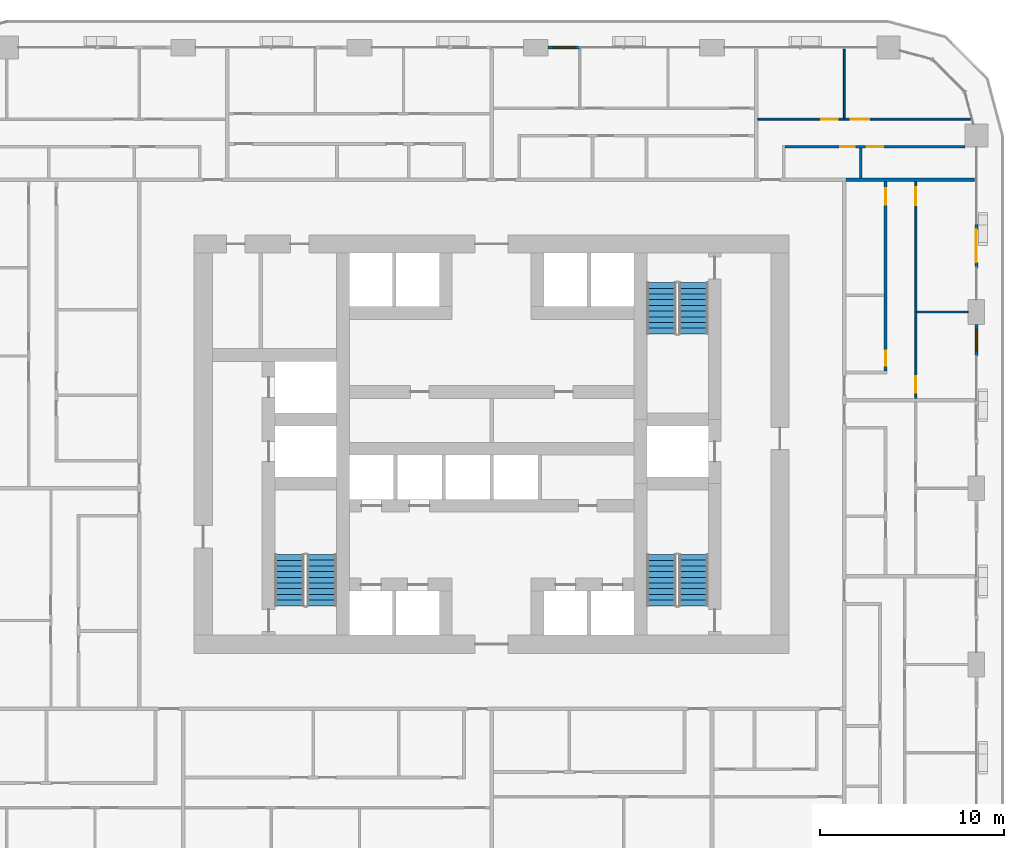
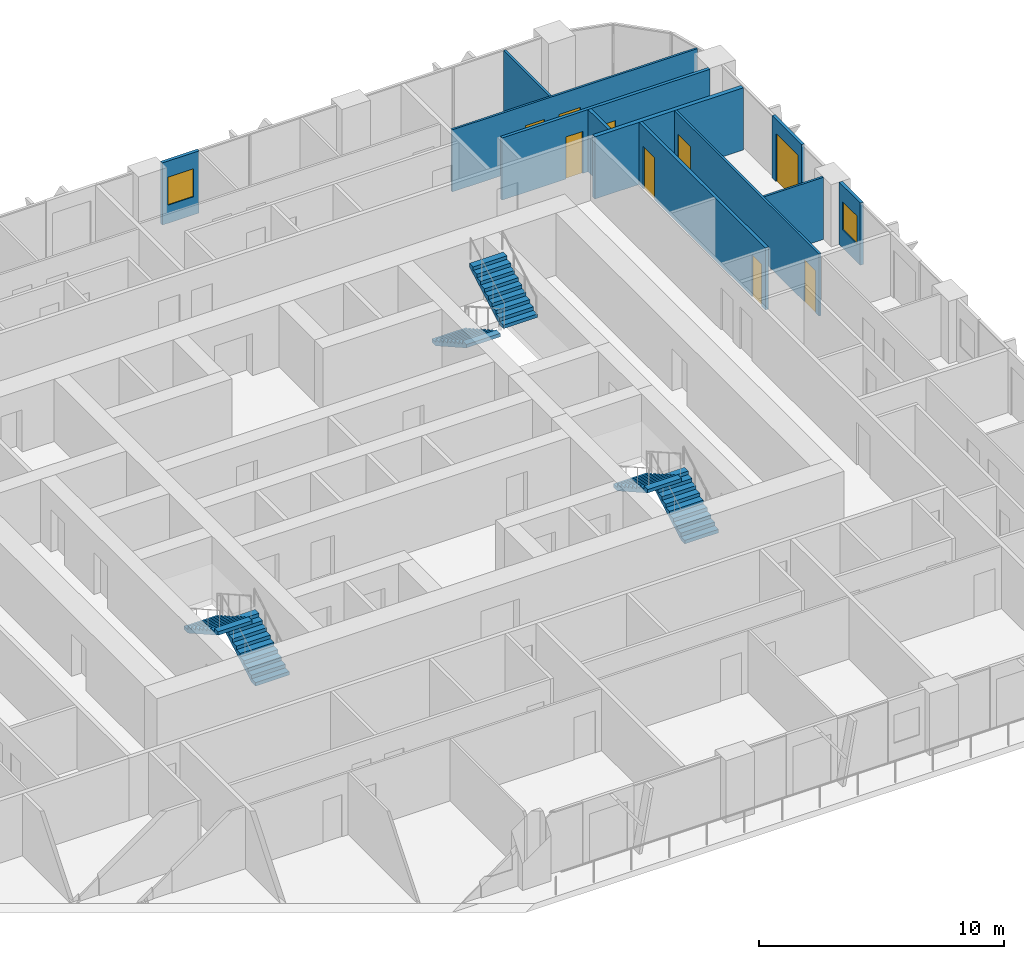
# One storey, part 15 of 21: 11 walls, 9 doors, 6 stair flights, 2 windows, 11 openings, 3 elements without a shape of their own.
"""IFC4 building model written with IfcOpenShell, lengths in metres."""

from ifc_helpers import new_model, si_unit, direction, frame, frame_2d, origin, place, context, subcontext, project, spatial, polyline, rectangle, outline, extrude, material, layer, layer_set, type_object, element, fill, aggregate, save


model = new_model("IFC4")

# Units and contexts
model_context = context("Model", 3, precision=1e-05, world=origin(), true_north=direction((0.0, 1.0)))
body_context = subcontext(model_context, "Body", "Model", "MODEL_VIEW")
ifc_project = project(units=[si_unit("LENGTHUNIT", "METRE"), si_unit("AREAUNIT", "SQUARE_METRE"), si_unit("VOLUMEUNIT", "CUBIC_METRE"), si_unit("PLANEANGLEUNIT", "RADIAN"), si_unit("MASSUNIT", "GRAM", prefix="KILO")], contexts=[model_context])

# Site, building, storey
site_placement = place(None, origin())
site = spatial("IfcSite", under=ifc_project, at=site_placement, CompositionType="ELEMENT")
building_placement = place(site_placement, origin())
building = spatial("IfcBuilding", under=site, at=building_placement, Name="Madar Terraces", CompositionType="ELEMENT")
storey_placement = place(building_placement, frame((0.0, 0.0, 50.39990234375)))
storey = spatial("IfcBuildingStorey", under=building, at=storey_placement, Name="L12", CompositionType="ELEMENT", Elevation=50.39990234375)

# Wall, opening, window
ifc_material_1 = material(Name="Aluminium composite panel, black, over insulated backing", Category="aluminium")
ifc_layer_1 = layer(ifc_material_1, 0.14990234375)
ifc_layer_set_1 = layer_set([ifc_layer_1], Name="Facade bay panel 150")
wall_type_1 = type_object("IfcWallType", Name="Facade bay panel 150", PredefinedType="SOLIDWALL", material=ifc_layer_set_1)
wall_1_placement = place(storey_placement, frame((57.60009765625, 31.199951171875, 0.0), z_axis=(0.0, 0.0, 1.0), x_axis=(0.0, 1.0, 0.0)))
wall_1 = element("IfcWall", 1, at=wall_1_placement, inside=storey, type_object=wall_type_1, Name="Facade bay panel", PredefinedType="SOLIDWALL", context=body_context, shape_type="SweptSolid", body=[
    extrude(rectangle(XDim=1.72509765625, YDim=0.14990234375, at=frame_2d((0.862548828125, 0.0))), origin(), (0.0, 0.0, 1.0), 3.10009765625),
])
opening_1_placement = place(wall_1_placement, frame((0.262451171875, 0.0, 0.89990234375)))
opening_1 = element("IfcOpeningElement", 2, at=opening_1_placement, cuts=wall_1, Name="Opening W1", PredefinedType="OPENING", context=body_context, shape_type="SweptSolid", body=[
    extrude(rectangle(XDim=1.199951171875, YDim=1.39990234375, at=frame_2d((0.60009765625, 0.699951171875))), frame((0.0, 0.0849609375, 0.0), z_axis=(0.0, -1.0, 0.0), x_axis=(1.0, 0.0, 0.0)), (0.0, 0.0, 1.0), 0.169921875),
])
ifc_material_2 = material(Name="Glass, clear, with black aluminium frame", Category="aluminium")
window_type = type_object("IfcWindowType", Name="Vent window 1200 x 1400", PartitioningType="SINGLE_PANEL", PredefinedType="WINDOW", material=ifc_material_2)
window_1_placement = place(opening_1_placement, origin())
window_1 = element("IfcWindow", 3, at=window_1_placement, inside=storey, type_object=window_type, Name="Operable vent window", OverallHeight=1.39990234375, OverallWidth=1.199951171875, PartitioningType="SINGLE_PANEL", PredefinedType="WINDOW", context=body_context, shape_type="SweptSolid", body=[
    extrude(rectangle(XDim=1.199951171875, YDim=1.39990234375, at=frame_2d((0.60009765625, 0.699951171875))), frame((0.0, 0.030029296875, 0.0), z_axis=(0.0, -1.0, 0.0), x_axis=(1.0, 0.0, 0.0)), (0.0, 0.0, 1.0), 0.06005859375),
])
fill(opening_1, window_1)

# Wall, opening, door
wall_2_placement = place(storey_placement, frame((57.60009765625, 36.0, 0.0), z_axis=(0.0, 0.0, 1.0), x_axis=(0.0, 1.0, 0.0)))
wall_2 = element("IfcWall", 4, at=wall_2_placement, inside=storey, type_object=wall_type_1, Name="Facade bay panel", PredefinedType="SOLIDWALL", context=body_context, shape_type="SweptSolid", body=[
    extrude(rectangle(XDim=2.39990234375, YDim=0.14990234375, at=frame_2d((1.199951171875, 0.0))), origin(), (0.0, 0.0, 1.0), 3.10009765625),
])
opening_2_placement = place(wall_2_placement, frame((0.300048828125, 0.0, 0.0)))
opening_2 = element("IfcOpeningElement", 5, at=opening_2_placement, cuts=wall_2, Name="Opening ED1", PredefinedType="OPENING", context=body_context, shape_type="SweptSolid", body=[
    extrude(rectangle(XDim=1.800048828125, YDim=2.39990234375, at=frame_2d((0.89990234375, 1.199951171875))), frame((0.0, 0.0849609375, 0.0), z_axis=(0.0, -1.0, 0.0), x_axis=(1.0, 0.0, 0.0)), (0.0, 0.0, 1.0), 0.169921875),
])
ifc_material_3 = material(Name="Glass, clear, with black aluminium frame", Category="aluminium")
door_type_1 = type_object("IfcDoorType", Name="Balcony and terrace sliding door 1800 x 2400", OperationType="SLIDING_TO_LEFT", PredefinedType="DOOR", material=ifc_material_3)
door_1_placement = place(opening_2_placement, origin())
door_1 = element("IfcDoor", 6, at=door_1_placement, inside=storey, type_object=door_type_1, Name="Balcony door", OperationType="SLIDING_TO_RIGHT", OverallHeight=2.39990234375, OverallWidth=1.800048828125, PredefinedType="DOOR", context=body_context, shape_type="SweptSolid", body=[
    extrude(rectangle(XDim=1.800048828125, YDim=2.39990234375, at=frame_2d((0.89990234375, 1.199951171875))), frame((0.0, 0.02490234375, 0.0), z_axis=(0.0, -1.0, 0.0), x_axis=(1.0, 0.0, 0.0)), (0.0, 0.0, 1.0), 0.050048828125),
])
fill(opening_2, door_1)

# Wall, opening, window
wall_3_placement = place(storey_placement, frame((36.0, 48.0, 0.0), z_axis=(0.0, 0.0, 1.0), x_axis=(-1.0, 0.0, 0.0)))
wall_3 = element("IfcWall", 7, at=wall_3_placement, inside=storey, type_object=wall_type_1, Name="Facade bay panel", PredefinedType="SOLIDWALL", context=body_context, shape_type="SweptSolid", body=[
    extrude(rectangle(XDim=1.72509765625, YDim=0.14990234375, at=frame_2d((0.862548828125, 0.0))), origin(), (0.0, 0.0, 1.0), 3.10009765625),
])
opening_3_placement = place(wall_3_placement, frame((0.262451171875, 0.0, 0.89990234375)))
opening_3 = element("IfcOpeningElement", 8, at=opening_3_placement, cuts=wall_3, Name="Opening W1", PredefinedType="OPENING", context=body_context, shape_type="SweptSolid", body=[
    extrude(rectangle(XDim=1.199951171875, YDim=1.39990234375, at=frame_2d((0.60009765625, 0.699951171875))), frame((0.0, 0.0849609375, 0.0), z_axis=(0.0, -1.0, 0.0), x_axis=(1.0, 0.0, 0.0)), (0.0, 0.0, 1.0), 0.169921875),
])
window_2_placement = place(opening_3_placement, origin())
window_2 = element("IfcWindow", 9, at=window_2_placement, inside=storey, type_object=window_type, Name="Operable vent window", OverallHeight=1.39990234375, OverallWidth=1.199951171875, PartitioningType="SINGLE_PANEL", PredefinedType="WINDOW", context=body_context, shape_type="SweptSolid", body=[
    extrude(rectangle(XDim=1.199951171875, YDim=1.39990234375, at=frame_2d((0.60009765625, 0.699951171875))), frame((0.0, 0.030029296875, 0.0), z_axis=(0.0, -1.0, 0.0), x_axis=(1.0, 0.0, 0.0)), (0.0, 0.0, 1.0), 0.06005859375),
])
fill(opening_3, window_2)

# Wall
ifc_material_4 = material(Name="Gypsum board on steel studs", Category="steel")
ifc_layer_2 = layer(ifc_material_4, 0.10009765625)
ifc_layer_set_2 = layer_set([ifc_layer_2], Name="Flat partition 100")
wall_type_2 = type_object("IfcWallType", Name="Flat partition 100", PredefinedType="PARTITIONING", material=ifc_layer_set_2)
wall_4_placement = place(storey_placement, frame((54.35009765625, 33.60009765625, 0.0), z_axis=(0.0, 0.0, 1.0), x_axis=(1.0, 0.0, 0.0)))
element("IfcWall", 10, at=wall_4_placement, inside=storey, type_object=wall_type_2, Name="Flat partition 100", PredefinedType="PARTITIONING", context=body_context, shape_type="SweptSolid", body=[
    extrude(rectangle(XDim=2.7998046875, YDim=0.10009765625, at=frame_2d((1.39990234375, 0.0))), origin(), (0.0, 0.0, 1.0), 3.10009765625),
])

# Wall, openings, doors
wall_5_placement = place(storey_placement, frame((54.300048828125, 40.699951171875, 0.0), z_axis=(0.0, 0.0, 1.0), x_axis=(0.0, -1.0, 0.0)))
wall_5 = element("IfcWall", 11, at=wall_5_placement, inside=storey, type_object=wall_type_2, Name="Flat partition 100", PredefinedType="PARTITIONING", context=body_context, shape_type="SweptSolid", body=[
    extrude(rectangle(XDim=11.800048828125, YDim=0.10009765625, at=frame_2d((5.89990234375, 0.0))), origin(), (0.0, 0.0, 1.0), 3.10009765625),
])
opening_4_placement = place(wall_5_placement, frame((10.60009765625, 0.0, 0.0)))
opening_4 = element("IfcOpeningElement", 12, at=opening_4_placement, cuts=wall_5, Name="Opening D2", PredefinedType="OPENING", context=body_context, shape_type="SweptSolid", body=[
    extrude(rectangle(XDim=0.89990234375, YDim=2.10009765625, at=frame_2d((0.449951171875, 1.050048828125))), frame((0.0, 0.06005859375, 0.0), z_axis=(0.0, -1.0, 0.0), x_axis=(1.0, 0.0, 0.0)), (0.0, 0.0, 1.0), 0.1201171875),
])
opening_5_placement = place(wall_5_placement, frame((0.300048828125, 0.0, 0.0)))
opening_5 = element("IfcOpeningElement", 13, at=opening_5_placement, cuts=wall_5, Name="Opening D3", PredefinedType="OPENING", context=body_context, shape_type="SweptSolid", body=[
    extrude(rectangle(XDim=1.0, YDim=2.10009765625, at=frame_2d((0.5, 1.050048828125))), frame((0.0, 0.06005859375, 0.0), z_axis=(0.0, -1.0, 0.0), x_axis=(1.0, 0.0, 0.0)), (0.0, 0.0, 1.0), 0.1201171875),
])
ifc_material_5 = material(Name="Timber door leaf", Category="wood")
door_type_2 = type_object("IfcDoorType", Name="Flat living room door 1000", OperationType="NOTDEFINED", PredefinedType="DOOR", material=ifc_material_5)
door_2_placement = place(opening_5_placement, origin())
door_2 = element("IfcDoor", 14, at=door_2_placement, inside=storey, type_object=door_type_2, Name="Flat living room door 1000", OperationType="SINGLE_SWING_LEFT", OverallHeight=2.10009765625, OverallWidth=1.0, PredefinedType="DOOR", context=body_context, shape_type="SweptSolid", body=[
    extrude(rectangle(XDim=1.0, YDim=2.10009765625, at=frame_2d((0.5, 1.050048828125))), frame((0.0, 0.02490234375, 0.0), z_axis=(0.0, -1.0, 0.0), x_axis=(1.0, 0.0, 0.0)), (0.0, 0.0, 1.0), 0.050048828125),
])
fill(opening_5, door_2)
ifc_material_6 = material(Name="Timber door leaf", Category="wood")
door_type_3 = type_object("IfcDoorType", Name="Flat room door 900", OperationType="NOTDEFINED", PredefinedType="DOOR", material=ifc_material_6)
door_3_placement = place(opening_4_placement, origin())
door_3 = element("IfcDoor", 15, at=door_3_placement, inside=storey, type_object=door_type_3, Name="Flat room door 900", OperationType="SINGLE_SWING_RIGHT", OverallHeight=2.10009765625, OverallWidth=0.89990234375, PredefinedType="DOOR", context=body_context, shape_type="SweptSolid", body=[
    extrude(rectangle(XDim=0.89990234375, YDim=2.10009765625, at=frame_2d((0.449951171875, 1.050048828125))), frame((0.0, 0.02490234375, 0.0), z_axis=(0.0, -1.0, 0.0), x_axis=(1.0, 0.0, 0.0)), (0.0, 0.0, 1.0), 0.050048828125),
])
fill(opening_4, door_3)

# Wall
wall_6_placement = place(storey_placement, frame((50.39990234375, 44.14990234375, 0.0), z_axis=(0.0, 0.0, 1.0), x_axis=(0.0, 1.0, 0.0)))
element("IfcWall", 16, at=wall_6_placement, inside=storey, type_object=wall_type_2, Name="Flat partition 100", PredefinedType="PARTITIONING", context=body_context, shape_type="SweptSolid", body=[
    extrude(rectangle(XDim=3.75, YDim=0.10009765625, at=frame_2d((1.875, 0.0))), origin(), (0.0, 0.0, 1.0), 3.10009765625),
])

# Wall, openings, doors
wall_7_placement = place(storey_placement, frame((45.699951171875, 44.10009765625, 0.0), z_axis=(0.0, 0.0, 1.0), x_axis=(1.0, 0.0, 0.0)))
wall_7 = element("IfcWall", 17, at=wall_7_placement, inside=storey, type_object=wall_type_2, Name="Flat partition 100", PredefinedType="PARTITIONING", context=body_context, shape_type="SweptSolid", body=[
    extrude(rectangle(XDim=11.558837890625, YDim=0.10009765625, at=frame_2d((5.779296875, 0.0))), origin(), (0.0, 0.0, 1.0), 3.10009765625),
])
opening_6_placement = place(wall_7_placement, frame((3.449951171875, 0.0, 0.0)))
opening_6 = element("IfcOpeningElement", 18, at=opening_6_placement, cuts=wall_7, Name="Opening D2", PredefinedType="OPENING", context=body_context, shape_type="SweptSolid", body=[
    extrude(rectangle(XDim=0.89990234375, YDim=2.10009765625, at=frame_2d((0.449951171875, 1.050048828125))), frame((0.0, 0.06005859375, 0.0), z_axis=(0.0, -1.0, 0.0), x_axis=(1.0, 0.0, 0.0)), (0.0, 0.0, 1.0), 0.1201171875),
])
opening_7_placement = place(wall_7_placement, frame((5.050048828125, 0.0, 0.0)))
opening_7 = element("IfcOpeningElement", 19, at=opening_7_placement, cuts=wall_7, Name="Opening D3", PredefinedType="OPENING", context=body_context, shape_type="SweptSolid", body=[
    extrude(rectangle(XDim=1.0, YDim=2.10009765625, at=frame_2d((0.5, 1.050048828125))), frame((0.0, 0.06005859375, 0.0), z_axis=(0.0, -1.0, 0.0), x_axis=(1.0, 0.0, 0.0)), (0.0, 0.0, 1.0), 0.1201171875),
])
door_4_placement = place(opening_7_placement, origin())
door_4 = element("IfcDoor", 20, at=door_4_placement, inside=storey, type_object=door_type_2, Name="Flat living room door 1000", OperationType="SINGLE_SWING_LEFT", OverallHeight=2.10009765625, OverallWidth=1.0, PredefinedType="DOOR", context=body_context, shape_type="SweptSolid", body=[
    extrude(rectangle(XDim=1.0, YDim=2.10009765625, at=frame_2d((0.5, 1.050048828125))), frame((0.0, 0.02490234375, 0.0), z_axis=(0.0, -1.0, 0.0), x_axis=(1.0, 0.0, 0.0)), (0.0, 0.0, 1.0), 0.050048828125),
])
fill(opening_7, door_4)
door_5_placement = place(opening_6_placement, origin())
door_5 = element("IfcDoor", 21, at=door_5_placement, inside=storey, type_object=door_type_3, Name="Flat room door 900", OperationType="SINGLE_SWING_RIGHT", OverallHeight=2.10009765625, OverallWidth=0.89990234375, PredefinedType="DOOR", context=body_context, shape_type="SweptSolid", body=[
    extrude(rectangle(XDim=0.89990234375, YDim=2.10009765625, at=frame_2d((0.449951171875, 1.050048828125))), frame((0.0, 0.02490234375, 0.0), z_axis=(0.0, -1.0, 0.0), x_axis=(1.0, 0.0, 0.0)), (0.0, 0.0, 1.0), 0.050048828125),
])
fill(opening_6, door_5)

# Wall
ifc_material_7 = material(Name="Lightweight blockwork", Category="masonry")
ifc_layer_3 = layer(ifc_material_7, 0.199951171875)
ifc_layer_set_3 = layer_set([ifc_layer_3], Name="Flat party and entrance wall 200")
wall_type_3 = type_object("IfcWallType", Name="Flat party and entrance wall 200", PredefinedType="PARTITIONING", material=ifc_layer_set_3)
wall_8_placement = place(storey_placement, frame((50.5, 40.800048828125, 0.0), z_axis=(0.0, 0.0, 1.0), x_axis=(1.0, 0.0, 0.0)))
element("IfcWall", 22, at=wall_8_placement, inside=storey, type_object=wall_type_3, Name="Flat party and entrance wall 200", PredefinedType="PARTITIONING", context=body_context, shape_type="SweptSolid", body=[
    extrude(rectangle(XDim=7.0, YDim=0.199951171875, at=frame_2d((3.5, 0.0))), origin(), (0.0, 0.0, 1.0), 3.10009765625),
])

# Wall, openings, doors
ifc_material_8 = material(Name="Lightweight blockwork", Category="masonry")
ifc_layer_4 = layer(ifc_material_8, 0.14990234375)
ifc_layer_set_4 = layer_set([ifc_layer_4], Name="Flat wet-room partition 150")
wall_type_4 = type_object("IfcWallType", Name="Flat wet-room partition 150", PredefinedType="PARTITIONING", material=ifc_layer_set_4)
wall_9_placement = place(storey_placement, frame((52.64990234375, 30.375, 0.0), z_axis=(0.0, 0.0, 1.0), x_axis=(0.0, 1.0, 0.0)))
wall_9 = element("IfcWall", 23, at=wall_9_placement, inside=storey, type_object=wall_type_4, Name="Flat wet-room partition 150", PredefinedType="PARTITIONING", context=body_context, shape_type="SweptSolid", body=[
    extrude(rectangle(XDim=10.324951171875, YDim=0.14990234375, at=frame_2d((5.16259765625, 0.0))), origin(), (0.0, 0.0, 1.0), 3.10009765625),
])
opening_8_placement = place(wall_9_placement, frame((0.300048828125, 0.0, 0.0)))
opening_8 = element("IfcOpeningElement", 24, at=opening_8_placement, cuts=wall_9, Name="Opening D4", PredefinedType="OPENING", context=body_context, shape_type="SweptSolid", body=[
    extrude(rectangle(XDim=0.800048828125, YDim=2.10009765625, at=frame_2d((0.39990234375, 1.050048828125))), frame((0.0, 0.0849609375, 0.0), z_axis=(0.0, -1.0, 0.0), x_axis=(1.0, 0.0, 0.0)), (0.0, 0.0, 1.0), 0.169921875),
])
opening_9_placement = place(wall_9_placement, frame((9.074951171875, 0.0, 0.0)))
opening_9 = element("IfcOpeningElement", 25, at=opening_9_placement, cuts=wall_9, Name="Opening D2", PredefinedType="OPENING", context=body_context, shape_type="SweptSolid", body=[
    extrude(rectangle(XDim=0.89990234375, YDim=2.10009765625, at=frame_2d((0.449951171875, 1.050048828125))), frame((0.0, 0.0849609375, 0.0), z_axis=(0.0, -1.0, 0.0), x_axis=(1.0, 0.0, 0.0)), (0.0, 0.0, 1.0), 0.169921875),
])
ifc_material_9 = material(Name="Timber door leaf", Category="wood")
door_type_4 = type_object("IfcDoorType", Name="Flat bathroom door 800", OperationType="NOTDEFINED", PredefinedType="DOOR", material=ifc_material_9)
door_6_placement = place(opening_8_placement, origin())
door_6 = element("IfcDoor", 26, at=door_6_placement, inside=storey, type_object=door_type_4, Name="Flat bathroom door 800", OperationType="SINGLE_SWING_LEFT", OverallHeight=2.10009765625, OverallWidth=0.800048828125, PredefinedType="DOOR", context=body_context, shape_type="SweptSolid", body=[
    extrude(rectangle(XDim=0.800048828125, YDim=2.10009765625, at=frame_2d((0.39990234375, 1.050048828125))), frame((0.0, 0.02490234375, 0.0), z_axis=(0.0, -1.0, 0.0), x_axis=(1.0, 0.0, 0.0)), (0.0, 0.0, 1.0), 0.050048828125),
])
fill(opening_8, door_6)
door_7_placement = place(opening_9_placement, origin())
door_7 = element("IfcDoor", 27, at=door_7_placement, inside=storey, type_object=door_type_3, Name="Flat room door 900", OperationType="SINGLE_SWING_RIGHT", OverallHeight=2.10009765625, OverallWidth=0.89990234375, PredefinedType="DOOR", context=body_context, shape_type="SweptSolid", body=[
    extrude(rectangle(XDim=0.89990234375, YDim=2.10009765625, at=frame_2d((0.449951171875, 1.050048828125))), frame((0.0, 0.02490234375, 0.0), z_axis=(0.0, -1.0, 0.0), x_axis=(1.0, 0.0, 0.0)), (0.0, 0.0, 1.0), 0.050048828125),
])
fill(opening_9, door_7)

# Wall
wall_10_placement = place(storey_placement, frame((51.304931640625, 40.89990234375, 0.0), z_axis=(0.0, 0.0, 1.0), x_axis=(0.0, 1.0, 0.0)))
element("IfcWall", 28, at=wall_10_placement, inside=storey, type_object=wall_type_4, Name="Flat wet-room partition 150", PredefinedType="PARTITIONING", context=body_context, shape_type="SweptSolid", body=[
    extrude(rectangle(XDim=1.625, YDim=0.14990234375, at=frame_2d((0.8125, 0.0))), origin(), (0.0, 0.0, 1.0), 3.10009765625),
])

# Wall, openings, doors
wall_11_placement = place(storey_placement, frame((56.97509765625, 42.60009765625, 0.0), z_axis=(0.0, 0.0, 1.0), x_axis=(-1.0, 0.0, 0.0)))
wall_11 = element("IfcWall", 29, at=wall_11_placement, inside=storey, type_object=wall_type_4, Name="Flat wet-room partition 150", PredefinedType="PARTITIONING", context=body_context, shape_type="SweptSolid", body=[
    extrude(rectangle(XDim=9.800048828125, YDim=0.14990234375, at=frame_2d((4.89990234375, 0.0))), origin(), (0.0, 0.0, 1.0), 3.10009765625),
])
opening_10_placement = place(wall_11_placement, frame((5.9951171875, 0.0, 0.0)))
opening_10 = element("IfcOpeningElement", 30, at=opening_10_placement, cuts=wall_11, Name="Opening D4", PredefinedType="OPENING", context=body_context, shape_type="SweptSolid", body=[
    extrude(rectangle(XDim=0.800048828125, YDim=2.10009765625, at=frame_2d((0.39990234375, 1.050048828125))), frame((0.0, 0.0849609375, 0.0), z_axis=(0.0, -1.0, 0.0), x_axis=(1.0, 0.0, 0.0)), (0.0, 0.0, 1.0), 0.169921875),
])
opening_11_placement = place(wall_11_placement, frame((4.445068359375, 0.0, 0.0)))
opening_11 = element("IfcOpeningElement", 31, at=opening_11_placement, cuts=wall_11, Name="Opening D2", PredefinedType="OPENING", context=body_context, shape_type="SweptSolid", body=[
    extrude(rectangle(XDim=0.89990234375, YDim=2.10009765625, at=frame_2d((0.449951171875, 1.050048828125))), frame((0.0, 0.0849609375, 0.0), z_axis=(0.0, -1.0, 0.0), x_axis=(1.0, 0.0, 0.0)), (0.0, 0.0, 1.0), 0.169921875),
])
door_8_placement = place(opening_10_placement, origin())
door_8 = element("IfcDoor", 32, at=door_8_placement, inside=storey, type_object=door_type_4, Name="Flat bathroom door 800", OperationType="SINGLE_SWING_LEFT", OverallHeight=2.10009765625, OverallWidth=0.800048828125, PredefinedType="DOOR", context=body_context, shape_type="SweptSolid", body=[
    extrude(rectangle(XDim=0.800048828125, YDim=2.10009765625, at=frame_2d((0.39990234375, 1.050048828125))), frame((0.0, 0.02490234375, 0.0), z_axis=(0.0, -1.0, 0.0), x_axis=(1.0, 0.0, 0.0)), (0.0, 0.0, 1.0), 0.050048828125),
])
fill(opening_10, door_8)
door_9_placement = place(opening_11_placement, origin())
door_9 = element("IfcDoor", 33, at=door_9_placement, inside=storey, type_object=door_type_3, Name="Flat room door 900", OperationType="SINGLE_SWING_RIGHT", OverallHeight=2.10009765625, OverallWidth=0.89990234375, PredefinedType="DOOR", context=body_context, shape_type="SweptSolid", body=[
    extrude(rectangle(XDim=0.89990234375, YDim=2.10009765625, at=frame_2d((0.449951171875, 1.050048828125))), frame((0.0, 0.02490234375, 0.0), z_axis=(0.0, -1.0, 0.0), x_axis=(1.0, 0.0, 0.0)), (0.0, 0.0, 1.0), 0.050048828125),
])
fill(opening_11, door_9)

# Stair, stair flights
ifc_material_10 = material(Name="Concrete C50/60", Category="concrete")
stair_type_1 = type_object("IfcStairType", Name="Stair ST1 protected exit", PredefinedType="HALF_TURN_STAIR", material=ifc_material_10)
stair_1_placement = place(storey_placement, origin())
stair_1 = element("IfcStair", 34, at=stair_1_placement, inside=storey, type_object=stair_type_1, Name="L12 Protected Exit Stair ST1", PredefinedType="HALF_TURN_STAIR")
ifc_material_11 = material(Name="Concrete C50/60", Category="concrete")
stair_flight_type_1 = type_object("IfcStairFlightType", Name="Stair flight ST1-F4, 1600 wide, 10 risers", PredefinedType="STRAIGHT", material=ifc_material_11)
stair_flight_1_placement = place(storey_placement, frame((21.949951171875, 17.60009765625, 0.0), z_axis=(0.0, 0.0, 1.0), x_axis=(0.0, 1.0, 0.0)))
stair_flight_1 = element("IfcStairFlight", 35, at=stair_flight_1_placement, type_object=stair_flight_type_1, Name="ST1 flight 1", NumberOfRisers=10, NumberOfTreads=9, PredefinedType="STRAIGHT", RiserHeight=0.175, TreadLength=0.31, context=body_context, shape_type="SweptSolid", body=[
    extrude(outline(polyline([(0.0, 0.0), (0.0, 0.175048828125), (0.31005859375, 0.175048828125), (0.31005859375, 0.35009765625), (0.6201171875, 0.35009765625), (0.6201171875, 0.52490234375), (0.929931640625, 0.52490234375), (0.929931640625, 0.699951171875), (1.239990234375, 0.699951171875), (1.239990234375, 0.875), (1.550048828125, 0.875), (1.550048828125, 1.050048828125), (1.860107421875, 1.050048828125), (1.860107421875, 1.22509765625), (2.169921875, 1.22509765625), (2.169921875, 1.39990234375), (2.47998046875, 1.39990234375), (2.47998046875, 1.574951171875), (2.7900390625, 1.574951171875), (2.7900390625, 1.75), (2.7900390625, 1.40283203125), (0.304931640625, 0.0), (0.0, 0.0)])), frame((0.0, 0.800048828125, 0.0), z_axis=(0.0, -1.0, 0.0), x_axis=(1.0, 0.0, 0.0)), (0.0, 0.0, 1.0), 1.60009765625),
])
stair_flight_2_placement = place(storey_placement, frame((20.199951171875, 20.389892578125, 1.75), z_axis=(0.0, 0.0, 1.0), x_axis=(0.0, -1.0, 0.0)))
stair_flight_2 = element("IfcStairFlight", 36, at=stair_flight_2_placement, type_object=stair_flight_type_1, Name="ST1 flight 2", NumberOfRisers=10, NumberOfTreads=9, PredefinedType="STRAIGHT", RiserHeight=0.175, TreadLength=0.31, context=body_context, shape_type="SweptSolid", body=[
    extrude(outline(polyline([(0.0, 0.0), (0.0, 0.175048828125), (0.31005859375, 0.175048828125), (0.31005859375, 0.35009765625), (0.6201171875, 0.35009765625), (0.6201171875, 0.52490234375), (0.929931640625, 0.52490234375), (0.929931640625, 0.699951171875), (1.239990234375, 0.699951171875), (1.239990234375, 0.875), (1.550048828125, 0.875), (1.550048828125, 1.050048828125), (1.860107421875, 1.050048828125), (1.860107421875, 1.22509765625), (2.169921875, 1.22509765625), (2.169921875, 1.39990234375), (2.47998046875, 1.39990234375), (2.47998046875, 1.574951171875), (2.7900390625, 1.574951171875), (2.7900390625, 1.75), (2.7900390625, 1.40283203125), (0.304931640625, 0.0), (0.0, 0.0)])), frame((0.0, 0.800048828125, 0.0), z_axis=(0.0, -1.0, 0.0), x_axis=(1.0, 0.0, 0.0)), (0.0, 0.0, 1.0), 1.60009765625),
])
aggregate(stair_1, [stair_flight_1, stair_flight_2])

ifc_material_12 = material(Name="Concrete C50/60", Category="concrete")
stair_type_2 = type_object("IfcStairType", Name="Stair ST2 protected exit", PredefinedType="HALF_TURN_STAIR", material=ifc_material_12)
stair_2_placement = place(storey_placement, origin())
stair_2 = element("IfcStair", 37, at=stair_2_placement, inside=storey, type_object=stair_type_2, Name="L12 Protected Exit Stair ST2", PredefinedType="HALF_TURN_STAIR")
ifc_material_13 = material(Name="Concrete C50/60", Category="concrete")
stair_flight_type_2 = type_object("IfcStairFlightType", Name="Stair flight ST2-F4, 1600 wide, 10 risers", PredefinedType="STRAIGHT", material=ifc_material_13)
stair_flight_3_placement = place(storey_placement, frame((40.449951171875, 35.199951171875, 0.0), z_axis=(0.0, 0.0, 1.0), x_axis=(0.0, -1.0, 0.0)))
stair_flight_3 = element("IfcStairFlight", 38, at=stair_flight_3_placement, type_object=stair_flight_type_2, Name="ST2 flight 1", NumberOfRisers=10, NumberOfTreads=9, PredefinedType="STRAIGHT", RiserHeight=0.175, TreadLength=0.31, context=body_context, shape_type="SweptSolid", body=[
    extrude(outline(polyline([(0.0, 0.0), (0.0, 0.175048828125), (0.31005859375, 0.175048828125), (0.31005859375, 0.35009765625), (0.6201171875, 0.35009765625), (0.6201171875, 0.52490234375), (0.929931640625, 0.52490234375), (0.929931640625, 0.699951171875), (1.239990234375, 0.699951171875), (1.239990234375, 0.875), (1.550048828125, 0.875), (1.550048828125, 1.050048828125), (1.860107421875, 1.050048828125), (1.860107421875, 1.22509765625), (2.169921875, 1.22509765625), (2.169921875, 1.39990234375), (2.47998046875, 1.39990234375), (2.47998046875, 1.574951171875), (2.7900390625, 1.574951171875), (2.7900390625, 1.75), (2.7900390625, 1.40283203125), (0.304931640625, 0.0), (0.0, 0.0)])), frame((0.0, 0.800048828125, 0.0), z_axis=(0.0, -1.0, 0.0), x_axis=(1.0, 0.0, 0.0)), (0.0, 0.0, 1.0), 1.60009765625),
])
stair_flight_4_placement = place(storey_placement, frame((42.199951171875, 32.409912109375, 1.75), z_axis=(0.0, 0.0, 1.0), x_axis=(0.0, 1.0, 0.0)))
stair_flight_4 = element("IfcStairFlight", 39, at=stair_flight_4_placement, type_object=stair_flight_type_2, Name="ST2 flight 2", NumberOfRisers=10, NumberOfTreads=9, PredefinedType="STRAIGHT", RiserHeight=0.175, TreadLength=0.31, context=body_context, shape_type="SweptSolid", body=[
    extrude(outline(polyline([(0.0, 0.0), (0.0, 0.175048828125), (0.31005859375, 0.175048828125), (0.31005859375, 0.35009765625), (0.6201171875, 0.35009765625), (0.6201171875, 0.52490234375), (0.929931640625, 0.52490234375), (0.929931640625, 0.699951171875), (1.239990234375, 0.699951171875), (1.239990234375, 0.875), (1.550048828125, 0.875), (1.550048828125, 1.050048828125), (1.860107421875, 1.050048828125), (1.860107421875, 1.22509765625), (2.169921875, 1.22509765625), (2.169921875, 1.39990234375), (2.47998046875, 1.39990234375), (2.47998046875, 1.574951171875), (2.7900390625, 1.574951171875), (2.7900390625, 1.75), (2.7900390625, 1.40283203125), (0.304931640625, 0.0), (0.0, 0.0)])), frame((0.0, 0.800048828125, 0.0), z_axis=(0.0, -1.0, 0.0), x_axis=(1.0, 0.0, 0.0)), (0.0, 0.0, 1.0), 1.60009765625),
])
aggregate(stair_2, [stair_flight_3, stair_flight_4])

ifc_material_14 = material(Name="Concrete C50/60", Category="concrete")
stair_type_3 = type_object("IfcStairType", Name="Stair ST3 protected exit", PredefinedType="HALF_TURN_STAIR", material=ifc_material_14)
stair_3_placement = place(storey_placement, origin())
stair_3 = element("IfcStair", 40, at=stair_3_placement, inside=storey, type_object=stair_type_3, Name="L12 Protected Exit Stair ST3", PredefinedType="HALF_TURN_STAIR")
ifc_material_15 = material(Name="Concrete C50/60", Category="concrete")
stair_flight_type_3 = type_object("IfcStairFlightType", Name="Stair flight ST3-F4, 1600 wide, 10 risers", PredefinedType="STRAIGHT", material=ifc_material_15)
stair_flight_5_placement = place(storey_placement, frame((42.199951171875, 17.60009765625, 0.0), z_axis=(0.0, 0.0, 1.0), x_axis=(0.0, 1.0, 0.0)))
stair_flight_5 = element("IfcStairFlight", 41, at=stair_flight_5_placement, type_object=stair_flight_type_3, Name="ST3 flight 1", NumberOfRisers=10, NumberOfTreads=9, PredefinedType="STRAIGHT", RiserHeight=0.175, TreadLength=0.31, context=body_context, shape_type="SweptSolid", body=[
    extrude(outline(polyline([(0.0, 0.0), (0.0, 0.175048828125), (0.31005859375, 0.175048828125), (0.31005859375, 0.35009765625), (0.6201171875, 0.35009765625), (0.6201171875, 0.52490234375), (0.929931640625, 0.52490234375), (0.929931640625, 0.699951171875), (1.239990234375, 0.699951171875), (1.239990234375, 0.875), (1.550048828125, 0.875), (1.550048828125, 1.050048828125), (1.860107421875, 1.050048828125), (1.860107421875, 1.22509765625), (2.169921875, 1.22509765625), (2.169921875, 1.39990234375), (2.47998046875, 1.39990234375), (2.47998046875, 1.574951171875), (2.7900390625, 1.574951171875), (2.7900390625, 1.75), (2.7900390625, 1.40283203125), (0.304931640625, 0.0), (0.0, 0.0)])), frame((0.0, 0.800048828125, 0.0), z_axis=(0.0, -1.0, 0.0), x_axis=(1.0, 0.0, 0.0)), (0.0, 0.0, 1.0), 1.60009765625),
])
stair_flight_6_placement = place(storey_placement, frame((40.449951171875, 20.389892578125, 1.75), z_axis=(0.0, 0.0, 1.0), x_axis=(0.0, -1.0, 0.0)))
stair_flight_6 = element("IfcStairFlight", 42, at=stair_flight_6_placement, type_object=stair_flight_type_3, Name="ST3 flight 2", NumberOfRisers=10, NumberOfTreads=9, PredefinedType="STRAIGHT", RiserHeight=0.175, TreadLength=0.31, context=body_context, shape_type="SweptSolid", body=[
    extrude(outline(polyline([(0.0, 0.0), (0.0, 0.175048828125), (0.31005859375, 0.175048828125), (0.31005859375, 0.35009765625), (0.6201171875, 0.35009765625), (0.6201171875, 0.52490234375), (0.929931640625, 0.52490234375), (0.929931640625, 0.699951171875), (1.239990234375, 0.699951171875), (1.239990234375, 0.875), (1.550048828125, 0.875), (1.550048828125, 1.050048828125), (1.860107421875, 1.050048828125), (1.860107421875, 1.22509765625), (2.169921875, 1.22509765625), (2.169921875, 1.39990234375), (2.47998046875, 1.39990234375), (2.47998046875, 1.574951171875), (2.7900390625, 1.574951171875), (2.7900390625, 1.75), (2.7900390625, 1.40283203125), (0.304931640625, 0.0), (0.0, 0.0)])), frame((0.0, 0.800048828125, 0.0), z_axis=(0.0, -1.0, 0.0), x_axis=(1.0, 0.0, 0.0)), (0.0, 0.0, 1.0), 1.60009765625),
])
aggregate(stair_3, [stair_flight_5, stair_flight_6])

save(model, "model.ifc")
